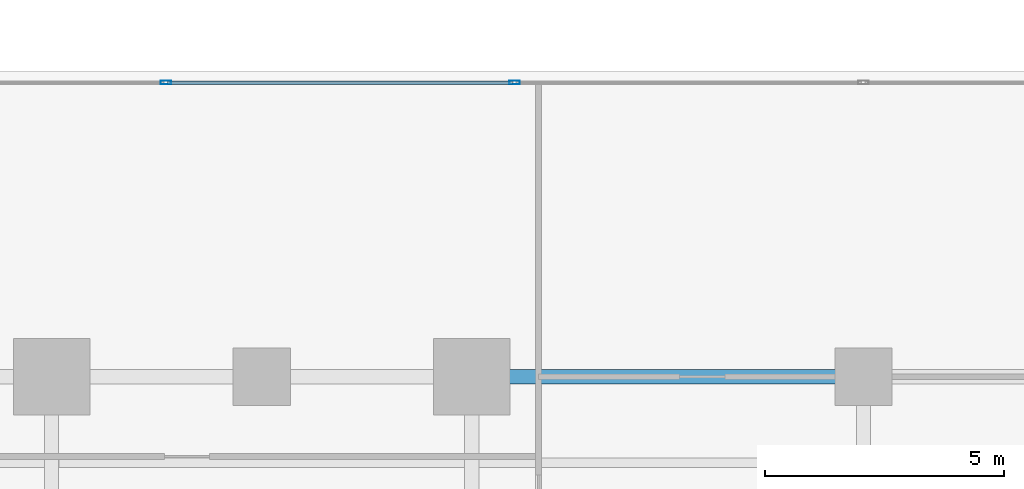
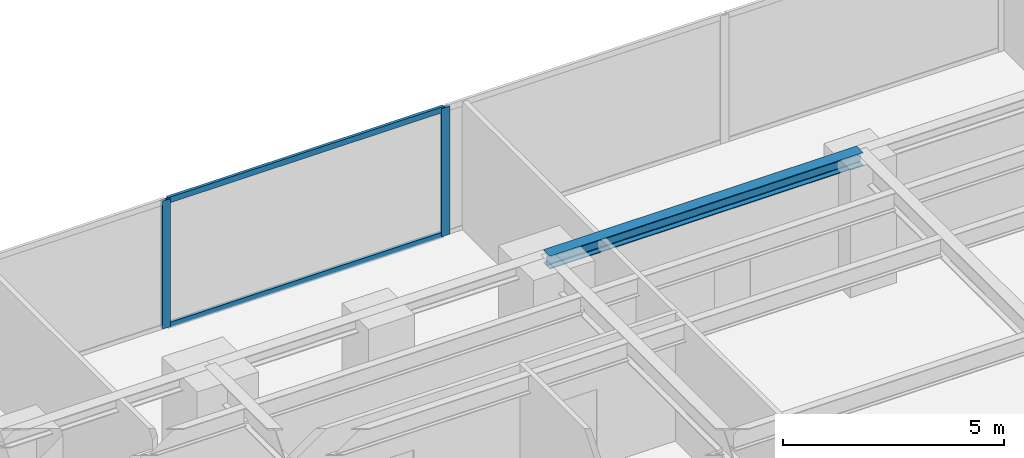
# One storey, part 13 of 31: 4 members, 1 beam, 1 element without a shape of its own.
"""IFC4 building model written with IfcOpenShell, lengths in metres."""

from ifc_helpers import new_model, si_unit, direction, frame, origin, origin_with_axes, origin_2d, place, context, subcontext, project, spatial, hollow_rectangle, i_section, extrude, source, transform, mapped, material, layer, layer_set, material_profile, profile_set, type_object, element, aggregate, save


model = new_model("IFC4")

# Units and contexts
model_context = context("Model", 3, precision=1e-05, world=origin(), true_north=direction((0.0, 1.0)))
body_context = subcontext(model_context, "Body", "Model", "MODEL_VIEW")
ifc_project = project(units=[si_unit("LENGTHUNIT", "METRE"), si_unit("AREAUNIT", "SQUARE_METRE"), si_unit("VOLUMEUNIT", "CUBIC_METRE"), si_unit("PLANEANGLEUNIT", "RADIAN"), si_unit("MASSUNIT", "GRAM", prefix="KILO")], contexts=[model_context])

# Site, building, storey
site_placement = place(None, origin())
site = spatial("IfcSite", under=ifc_project, at=site_placement, CompositionType="ELEMENT")
building_placement = place(site_placement, origin())
building = spatial("IfcBuilding", under=site, at=building_placement, Name="Kolvaren Waterfront Exchange", CompositionType="ELEMENT")
storey_placement = place(building_placement, frame((0.0, 0.0, 67.60009765625)))
storey = spatial("IfcBuildingStorey", under=building, at=storey_placement, Name="L17", CompositionType="ELEMENT", Elevation=67.60009765625)

# Beam
ifc_material_1 = material(Name="Steel S355", Category="steel")
ifc_material_profile_1 = material_profile(ifc_material_1, i_section(OverallWidth=0.300048828125, OverallDepth=0.360107421875, WebThickness=0.012451171875, FlangeThickness=0.0224609375, FilletRadius=0.027099609375, at=origin_2d()), Name="HEB360")
ifc_profile_set_1 = profile_set([ifc_material_profile_1], Name="Steel S355")
beam_type = type_object("IfcBeamType", Name="STR-BM-HEB360", PredefinedType="SPANDREL", material=ifc_profile_set_1)
beam_placement = place(storey_placement, frame((45.60009765625, 17.39990234375, 3.35986328125), z_axis=(1.0, 0.0, 0.0), x_axis=(0.0, 1.0, 0.0)))
element("IfcBeam", 1, at=beam_placement, inside=storey, type_object=beam_type, Name="L17 east-arm spandrel N4", PredefinedType="SPANDREL", context=body_context, shape_type="SweptSolid", body=[
    extrude(i_section(OverallWidth=0.300048828125, OverallDepth=0.360107421875, WebThickness=0.012451171875, FlangeThickness=0.0224609375, FilletRadius=0.027099609375, at=origin_2d()), origin(), (0.0, 0.0, 1.0), 8.199951171875),
])

# Curtain wall, members
ifc_material_2 = material(Name="Anodised bronze aluminium 6063-T6", Category="aluminium")
ifc_layer = layer(ifc_material_2, 0.219970703125, Name="Anodised bronze aluminium 6063-T6")
ifc_layer_set = layer_set([ifc_layer], Name="Anodised bronze aluminium 6063-T6")
curtain_wall_type = type_object("IfcCurtainWallType", Name="ARC-CW-SYS1", PredefinedType="USERDEFINED", material=ifc_layer_set)
curtain_wall_placement = place(storey_placement, origin())
curtain_wall = element("IfcCurtainWall", 2, at=curtain_wall_placement, inside=storey, type_object=curtain_wall_type, Name="L17 stick curtain wall CW1 (CW-L17-EN)", ObjectType="STICK CURTAIN WALL", PredefinedType="USERDEFINED")
ifc_material_3 = material(Name="Anodised aluminium 6063-T6", Category="aluminium")
ifc_material_profile_2 = material_profile(ifc_material_3, hollow_rectangle(XDim=0.080078125, YDim=0.219970703125, WallThickness=0.0048828125, at=origin_2d()), Name="ALU-MUL-220x80x5")
ifc_profile_set_2 = profile_set([ifc_material_profile_2], Name="Anodised aluminium 6063-T6")
member_type_1 = type_object("IfcMemberType", Name="ARC-CWM-220", PredefinedType="MULLION", material=ifc_profile_set_2)
shared_shape_1 = source(origin_with_axes(), body_context, "Body", "SweptSolid", [
    extrude(hollow_rectangle(XDim=0.080078125, YDim=0.219970703125, WallThickness=0.0048828125, at=origin_2d()), origin(), (0.0, 0.0, 1.0), 3.539794921875),
])
member_1_placement = place(storey_placement, frame((39.1923828125, 23.56005859375, 0.0), z_axis=(0.0, 0.0, 1.0), x_axis=(0.0, 1.0, 0.0)))
member_1 = element("IfcMember", 3, at=member_1_placement, type_object=member_type_1, Name="CW1 mullion 2", PredefinedType="MULLION", context=body_context, shape_type="MappedRepresentation", body=[
    mapped(shared_shape_1, transform((0.0, 0.0, 0.0), x_axis=(1.0, 0.0, 0.0), y_axis=(0.0, 1.0, 0.0), z_axis=(0.0, 0.0, 1.0), scale=1.0)),
])
member_2_placement = place(storey_placement, frame((46.4951171875, 23.56005859375, 0.0), z_axis=(0.0, 0.0, 1.0), x_axis=(0.0, 1.0, 0.0)))
member_2 = element("IfcMember", 4, at=member_2_placement, type_object=member_type_1, Name="CW1 mullion 3", PredefinedType="MULLION", context=body_context, shape_type="MappedRepresentation", body=[
    mapped(shared_shape_1, transform((0.0, 0.0, 0.0), x_axis=(1.0, 0.0, 0.0), y_axis=(0.0, 1.0, 0.0), z_axis=(0.0, 0.0, 1.0), scale=1.0)),
])
ifc_material_profile_3 = material_profile(ifc_material_3, hollow_rectangle(XDim=0.074951171875, YDim=0.159912109375, WallThickness=0.00439453125, at=origin_2d()), Name="ALU-TRN-160x75x4.5")
ifc_profile_set_3 = profile_set([ifc_material_profile_3], Name="Anodised aluminium 6063-T6")
member_type_2 = type_object("IfcMemberType", Name="ARC-CWT-160", PredefinedType="USERDEFINED", material=ifc_profile_set_3)
shared_shape_2 = source(origin_with_axes(), body_context, "Body", "SweptSolid", [
    extrude(hollow_rectangle(XDim=0.074951171875, YDim=0.159912109375, WallThickness=0.00439453125, at=origin_2d()), origin(), (0.0, 0.0, 1.0), 7.22265625),
])
member_3_placement = place(storey_placement, frame((39.232421875, 23.56005859375, 0.037353515625), z_axis=(1.0, 0.0, 0.0), x_axis=(0.0, 1.0, 0.0)))
member_3 = element("IfcMember", 5, at=member_3_placement, type_object=member_type_2, Name="CW1 transom 2.1", ObjectType="TRANSOM", PredefinedType="USERDEFINED", context=body_context, shape_type="MappedRepresentation", body=[
    mapped(shared_shape_2, transform((0.0, 0.0, 0.0), x_axis=(1.0, 0.0, 0.0), y_axis=(0.0, 1.0, 0.0), z_axis=(0.0, 0.0, 1.0), scale=1.0)),
])
member_4_placement = place(storey_placement, frame((39.232421875, 23.56005859375, 3.50244140625), z_axis=(1.0, 0.0, 0.0), x_axis=(0.0, 1.0, 0.0)))
member_4 = element("IfcMember", 6, at=member_4_placement, type_object=member_type_2, Name="CW1 transom 2.2", ObjectType="TRANSOM", PredefinedType="USERDEFINED", context=body_context, shape_type="MappedRepresentation", body=[
    mapped(shared_shape_2, transform((0.0, 0.0, 0.0), x_axis=(1.0, 0.0, 0.0), y_axis=(0.0, 1.0, 0.0), z_axis=(0.0, 0.0, 1.0), scale=1.0)),
])
aggregate(curtain_wall, [member_1, member_2, member_3, member_4])

save(model, "model.ifc")
